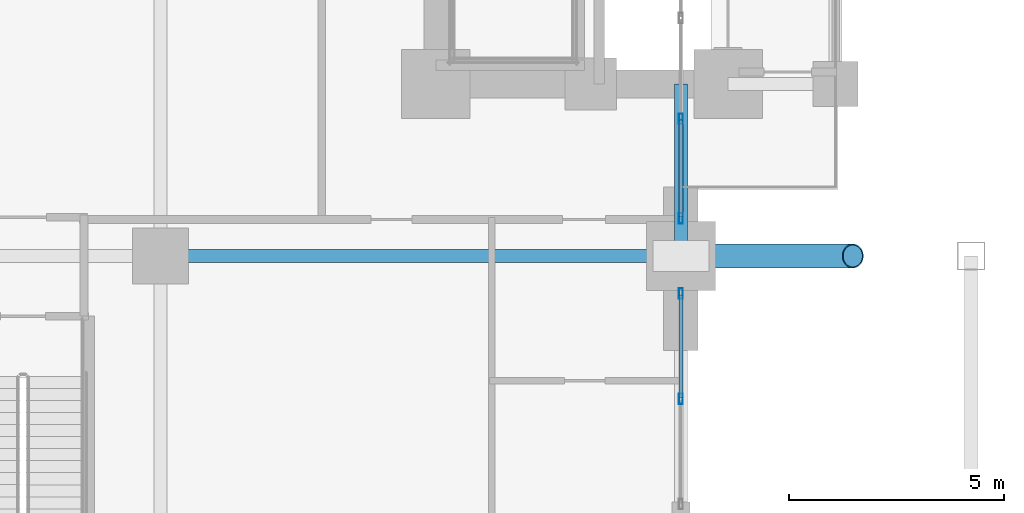
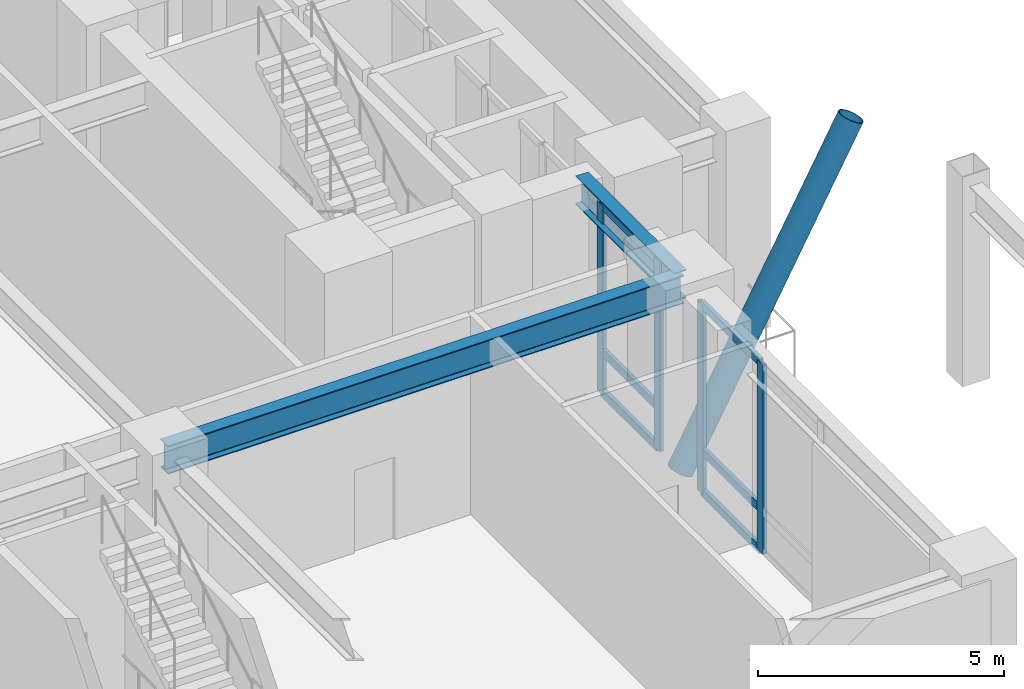
# One storey, part 3 of 27: 11 members, 2 beams, 2 elements without a shape of their own.
"""IFC4 building model written with IfcOpenShell, lengths in metres."""

from ifc_helpers import new_model, si_unit, direction, frame, origin, origin_2d, place, context, subcontext, project, spatial, hollow_rectangle, hollow_circle, i_section, extrude, material, layer, layer_set, material_profile, profile_set, type_object, element, aggregate, save


model = new_model("IFC4")

# Units and contexts
model_context = context("Model", 3, precision=1e-05, world=origin(), true_north=direction((0.0, 1.0)))
body_context = subcontext(model_context, "Body", "Model", "MODEL_VIEW")
ifc_project = project(units=[si_unit("LENGTHUNIT", "METRE"), si_unit("AREAUNIT", "SQUARE_METRE"), si_unit("VOLUMEUNIT", "CUBIC_METRE"), si_unit("PLANEANGLEUNIT", "RADIAN"), si_unit("MASSUNIT", "GRAM", prefix="KILO")], contexts=[model_context])

# Site, building, storey
site_placement = place(None, origin())
site = spatial("IfcSite", under=ifc_project, at=site_placement, CompositionType="ELEMENT")
building_placement = place(site_placement, origin())
building = spatial("IfcBuilding", under=site, at=building_placement, Name="Voryun Gate Residences", CompositionType="ELEMENT")
storey_placement = place(building_placement, frame((0.0, 0.0, 5.199951171875)))
storey = spatial("IfcBuildingStorey", under=building, at=storey_placement, Name="L01", CompositionType="ELEMENT", Elevation=5.199951171875)

# Beams
ifc_material_1 = material(Name="Steel SM355", Category="steel")
ifc_material_profile_1 = material_profile(ifc_material_1, i_section(OverallWidth=0.300048828125, OverallDepth=0.699951171875, WebThickness=0.012939453125, FlangeThickness=0.02392578125, FilletRadius=0.01806640625, at=origin_2d()), Name="H-700x300x13x24")
ifc_profile_set_1 = profile_set([ifc_material_profile_1], Name="Steel SM355")
beam_type = type_object("IfcBeamType", Name="BM_GIRD_700", PredefinedType="USERDEFINED", material=ifc_profile_set_1)
beam_1_placement = place(storey_placement, frame((-25.60009765625, -11.39990234375, 4.570068359375), z_axis=(1.0, 0.0, 0.0), x_axis=(0.0, 1.0, 0.0)))
element("IfcBeam", 1, at=beam_1_placement, inside=storey, type_object=beam_type, Name="BM-L01-PWX--11.4-1", ObjectType="GIRDER", PredefinedType="USERDEFINED", context=body_context, shape_type="SweptSolid", body=[
    extrude(i_section(OverallWidth=0.300048828125, OverallDepth=0.699951171875, WebThickness=0.012939453125, FlangeThickness=0.02392578125, FilletRadius=0.01806640625, at=origin_2d()), origin(), (0.0, 0.0, 1.0), 12.10009765625),
])
beam_2_placement = place(storey_placement, frame((-13.5, -11.39990234375, 4.570068359375), z_axis=(0.0, 1.0, 0.0), x_axis=(-1.0, 0.0, 0.0)))
element("IfcBeam", 2, at=beam_2_placement, inside=storey, type_object=beam_type, Name="BM-L01-PWYA--11.4", ObjectType="GIRDER", PredefinedType="USERDEFINED", context=body_context, shape_type="SweptSolid", body=[
    extrude(i_section(OverallWidth=0.300048828125, OverallDepth=0.699951171875, WebThickness=0.012939453125, FlangeThickness=0.02392578125, FilletRadius=0.01806640625, at=origin_2d()), origin(), (0.0, 0.0, 1.0), 4.0),
])

# Curtain wall, members
ifc_material_2 = material(Name="Anodised aluminium", Category="aluminium")
ifc_layer = layer(ifc_material_2, 0.239990234375, Name="CW_SYS_ARCH_DARK_GLASS")
ifc_layer_set = layer_set([ifc_layer], Name="Anodised aluminium")
curtain_wall_type = type_object("IfcCurtainWallType", Name="CW_SYS_ARCH_DARK_GLASS", PredefinedType="NOTDEFINED", material=ifc_layer_set)
curtain_wall_1_placement = place(storey_placement, origin())
curtain_wall_1 = element("IfcCurtainWall", 3, at=curtain_wall_1_placement, inside=storey, type_object=curtain_wall_type, Name="Curtain wall CW2-L01-WP-S", PredefinedType="NOTDEFINED")
ifc_material_3 = material(Name="Anodised aluminium", Category="aluminium")
ifc_material_profile_2 = material_profile(ifc_material_3, hollow_rectangle(XDim=0.090087890625, YDim=0.239990234375, WallThickness=0.006103515625, at=origin_2d()), Name="ALU-MULL-240x90x6")
ifc_profile_set_2 = profile_set([ifc_material_profile_2], Name="Anodised aluminium")
member_type_1 = type_object("IfcMemberType", Name="CW_MULL_ARCH", PredefinedType="MULLION", material=ifc_profile_set_2)
member_1_placement = place(storey_placement, frame((-13.5, -14.722412109375, 0.0), z_axis=(0.0, 0.0, 1.0), x_axis=(-1.0, 0.0, 0.0)))
member_1 = element("IfcMember", 4, at=member_1_placement, type_object=member_type_1, Name="CW2 mullion 2", PredefinedType="MULLION", context=body_context, shape_type="SweptSolid", body=[
    extrude(hollow_rectangle(XDim=0.090087890625, YDim=0.239990234375, WallThickness=0.006103515625, at=origin_2d()), origin(), (0.0, 0.0, 1.0), 4.699951171875),
])
member_2_placement = place(storey_placement, frame((-13.5, -12.27490234375, 0.0), z_axis=(0.0, 0.0, 1.0), x_axis=(-1.0, 0.0, 0.0)))
member_2 = element("IfcMember", 5, at=member_2_placement, type_object=member_type_1, Name="CW2 mullion 3", PredefinedType="MULLION", context=body_context, shape_type="SweptSolid", body=[
    extrude(hollow_rectangle(XDim=0.090087890625, YDim=0.239990234375, WallThickness=0.006103515625, at=origin_2d()), origin(), (0.0, 0.0, 1.0), 4.699951171875),
])

curtain_wall_2_placement = place(storey_placement, origin())
curtain_wall_2 = element("IfcCurtainWall", 6, at=curtain_wall_2_placement, inside=storey, type_object=curtain_wall_type, Name="Curtain wall CW2-L01-WP-M", PredefinedType="NOTDEFINED")
member_3_placement = place(storey_placement, frame((-13.5, -10.52490234375, 0.0), z_axis=(0.0, 0.0, 1.0), x_axis=(-1.0, 0.0, 0.0)))
member_3 = element("IfcMember", 7, at=member_3_placement, type_object=member_type_1, Name="CW2 mullion 1", PredefinedType="MULLION", context=body_context, shape_type="SweptSolid", body=[
    extrude(hollow_rectangle(XDim=0.090087890625, YDim=0.239990234375, WallThickness=0.006103515625, at=origin_2d()), origin(), (0.0, 0.0, 1.0), 4.699951171875),
])
member_4_placement = place(storey_placement, frame((-13.5, -8.20947265625, 0.0), z_axis=(0.0, 0.0, 1.0), x_axis=(-1.0, 0.0, 0.0)))
member_4 = element("IfcMember", 8, at=member_4_placement, type_object=member_type_1, Name="CW2 mullion 2", PredefinedType="MULLION", context=body_context, shape_type="SweptSolid", body=[
    extrude(hollow_rectangle(XDim=0.090087890625, YDim=0.239990234375, WallThickness=0.006103515625, at=origin_2d()), origin(), (0.0, 0.0, 1.0), 4.699951171875),
])

# Member
ifc_material_4 = material(Name="Anodised aluminium", Category="aluminium")
ifc_material_profile_3 = material_profile(ifc_material_4, hollow_rectangle(XDim=0.090087890625, YDim=0.199951171875, WallThickness=0.006103515625, at=origin_2d()), Name="ALU-TRAN-200x90x6")
ifc_profile_set_3 = profile_set([ifc_material_profile_3], Name="Anodised aluminium")
member_type_2 = type_object("IfcMemberType", Name="CW_TRAN_ARCH", PredefinedType="USERDEFINED", material=ifc_profile_set_3)
member_5_placement = place(storey_placement, frame((-13.5, -14.6923828125, 0.030029296875), z_axis=(0.0, 1.0, 0.0), x_axis=(-1.0, 0.0, 0.0)))
member_5 = element("IfcMember", 9, at=member_5_placement, type_object=member_type_2, Name="CW2 transom 2.1", ObjectType="TRANSOM", PredefinedType="USERDEFINED", context=body_context, shape_type="SweptSolid", body=[
    extrude(hollow_rectangle(XDim=0.090087890625, YDim=0.199951171875, WallThickness=0.006103515625, at=origin_2d()), origin(), (0.0, 0.0, 1.0), 2.387451171875),
])

member_6_placement = place(storey_placement, frame((-13.5, -14.6923828125, 1.050048828125), z_axis=(0.0, 1.0, 0.0), x_axis=(-1.0, 0.0, 0.0)))
member_6 = element("IfcMember", 10, at=member_6_placement, type_object=member_type_2, Name="CW2 transom 2.2", ObjectType="TRANSOM", PredefinedType="USERDEFINED", context=body_context, shape_type="SweptSolid", body=[
    extrude(hollow_rectangle(XDim=0.090087890625, YDim=0.199951171875, WallThickness=0.006103515625, at=origin_2d()), origin(), (0.0, 0.0, 1.0), 2.387451171875),
])

member_7_placement = place(storey_placement, frame((-13.5, -14.6923828125, 4.670166015625), z_axis=(0.0, 1.0, 0.0), x_axis=(-1.0, 0.0, 0.0)))
member_7 = element("IfcMember", 11, at=member_7_placement, type_object=member_type_2, Name="CW2 transom 2.3", ObjectType="TRANSOM", PredefinedType="USERDEFINED", context=body_context, shape_type="SweptSolid", body=[
    extrude(hollow_rectangle(XDim=0.090087890625, YDim=0.199951171875, WallThickness=0.006103515625, at=origin_2d()), origin(), (0.0, 0.0, 1.0), 2.387451171875),
])

aggregate(curtain_wall_1, [member_1, member_2, member_5, member_6, member_7])

member_8_placement = place(storey_placement, frame((-13.5, -10.4951171875, 0.030029296875), z_axis=(0.0, 1.0, 0.0), x_axis=(-1.0, 0.0, 0.0)))
member_8 = element("IfcMember", 12, at=member_8_placement, type_object=member_type_2, Name="CW2 transom 1.1", ObjectType="TRANSOM", PredefinedType="USERDEFINED", context=body_context, shape_type="SweptSolid", body=[
    extrude(hollow_rectangle(XDim=0.090087890625, YDim=0.199951171875, WallThickness=0.006103515625, at=origin_2d()), origin(), (0.0, 0.0, 1.0), 2.255615234375),
])

member_9_placement = place(storey_placement, frame((-13.5, -10.4951171875, 1.050048828125), z_axis=(0.0, 1.0, 0.0), x_axis=(-1.0, 0.0, 0.0)))
member_9 = element("IfcMember", 13, at=member_9_placement, type_object=member_type_2, Name="CW2 transom 1.2", ObjectType="TRANSOM", PredefinedType="USERDEFINED", context=body_context, shape_type="SweptSolid", body=[
    extrude(hollow_rectangle(XDim=0.090087890625, YDim=0.199951171875, WallThickness=0.006103515625, at=origin_2d()), origin(), (0.0, 0.0, 1.0), 2.255615234375),
])

member_10_placement = place(storey_placement, frame((-13.5, -10.4951171875, 4.670166015625), z_axis=(0.0, 1.0, 0.0), x_axis=(-1.0, 0.0, 0.0)))
member_10 = element("IfcMember", 14, at=member_10_placement, type_object=member_type_2, Name="CW2 transom 1.3", ObjectType="TRANSOM", PredefinedType="USERDEFINED", context=body_context, shape_type="SweptSolid", body=[
    extrude(hollow_rectangle(XDim=0.090087890625, YDim=0.199951171875, WallThickness=0.006103515625, at=origin_2d()), origin(), (0.0, 0.0, 1.0), 2.255615234375),
])

aggregate(curtain_wall_2, [member_3, member_4, member_8, member_9, member_10])

ifc_material_5 = material(Name="Steel SM420", Category="steel")
ifc_material_profile_4 = material_profile(ifc_material_5, hollow_circle(Radius=0.280029296875, WallThickness=0.02587890625, at=origin_2d()), Name="CHS-560x26")
ifc_profile_set_4 = profile_set([ifc_material_profile_4], Name="Steel SM420")
member_type_3 = type_object("IfcMemberType", Name="MBR_CANT_STRUT_B2", PredefinedType="STRUT", material=ifc_profile_set_4)
member_11_placement = place(storey_placement, frame((-13.5, -11.39990234375, 0.0), z_axis=(0.477007051349, 0.0, 0.878899466926), x_axis=(0.0, 1.0, 0.0)))
element("IfcMember", 15, at=member_11_placement, inside=storey, type_object=member_type_3, Name="Parabolic Tied-Arch Rib Member S Segment 1", PredefinedType="STRUT", context=body_context, shape_type="SweptSolid", body=[
    extrude(hollow_circle(Radius=0.280029296875, WallThickness=0.02587890625, at=origin_2d()), origin(), (0.0, 0.0, 1.0), 8.3857421875),
])

save(model, "model.ifc")
